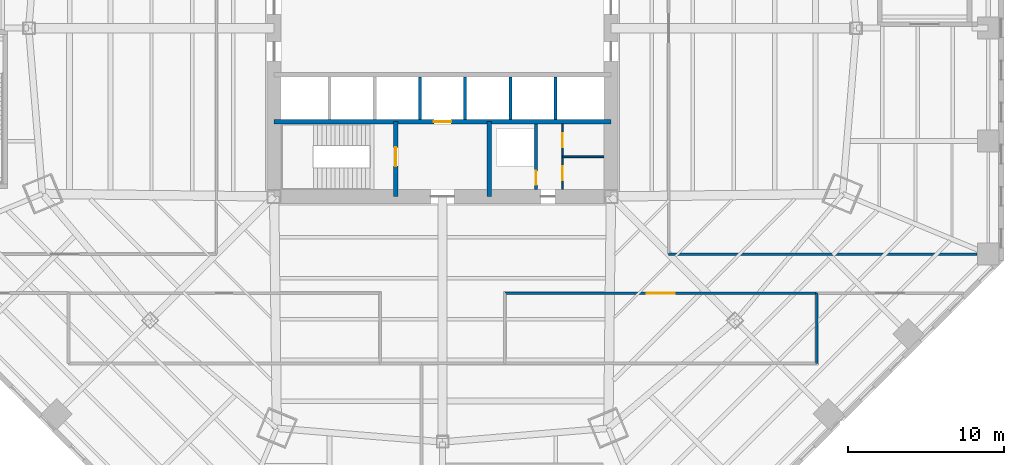
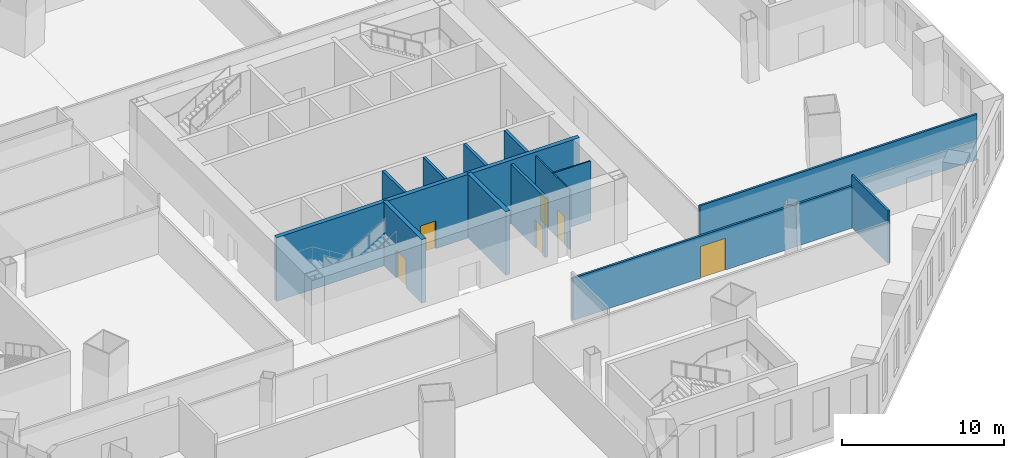
# One storey, part 10 of 19: 13 walls, 6 doors, 6 openings.
"""IFC4 building model written with IfcOpenShell, lengths in metres."""

from ifc_helpers import new_model, si_unit, direction, frame, frame_2d, origin, place, context, subcontext, project, spatial, rectangle, extrude, material, layer, layer_set, type_object, element, fill, save


model = new_model("IFC4")

# Units and contexts
model_context = context("Model", 3, precision=1e-05, world=origin(), true_north=direction((0.0, 1.0)))
body_context = subcontext(model_context, "Body", "Model", "MODEL_VIEW")
ifc_project = project(units=[si_unit("LENGTHUNIT", "METRE"), si_unit("AREAUNIT", "SQUARE_METRE"), si_unit("VOLUMEUNIT", "CUBIC_METRE"), si_unit("PLANEANGLEUNIT", "RADIAN"), si_unit("MASSUNIT", "GRAM", prefix="KILO")], contexts=[model_context])

# Site, building, storey
site_placement = place(None, origin())
site = spatial("IfcSite", under=ifc_project, at=site_placement, CompositionType="ELEMENT")
building_placement = place(site_placement, origin())
building = spatial("IfcBuilding", under=site, at=building_placement, Name="Mashrafa Tower", CompositionType="ELEMENT")
storey_placement = place(building_placement, frame((0.0, 0.0, 24.0)))
storey = spatial("IfcBuildingStorey", under=building, at=storey_placement, Name="L04", CompositionType="ELEMENT", Elevation=24.0)

# Wall, opening, door
ifc_material_1 = material(Name="Concrete masonry unit", Category="masonry")
ifc_layer_1 = layer(ifc_material_1, 0.199951171875)
ifc_layer_set_1 = layer_set([ifc_layer_1], Name="Blockwork wall 200 2 hr")
wall_type_1 = type_object("IfcWallType", Name="Blockwork wall 200 2 hr", PredefinedType="PARTITIONING", material=ifc_layer_set_1)
wall_1_placement = place(storey_placement, frame((6.0, -10.35009765625, 0.0), z_axis=(0.0, 0.0, 1.0), x_axis=(0.0, 1.0, 0.0)))
wall_1 = element("IfcWall", 1, at=wall_1_placement, inside=storey, type_object=wall_type_1, Name="Riser enclosure wall L04", PredefinedType="PARTITIONING", context=body_context, shape_type="SweptSolid", body=[
    extrude(rectangle(XDim=4.2001953125, YDim=0.199951171875, at=frame_2d((2.10009765625, 0.0))), origin(), (0.0, 0.0, 1.0), 4.5),
])
opening_1_placement = place(wall_1_placement, frame((0.300048828125, 0.0, 0.0)))
opening_1 = element("IfcOpeningElement", 2, at=opening_1_placement, cuts=wall_1, Name="Opening 04.023", PredefinedType="OPENING", context=body_context, shape_type="SweptSolid", body=[
    extrude(rectangle(XDim=0.89990234375, YDim=2.10009765625, at=frame_2d((0.449951171875, 1.050048828125))), frame((0.0, 0.10986328125, 0.0), z_axis=(0.0, -1.0, 0.0), x_axis=(1.0, 0.0, 0.0)), (0.0, 0.0, 1.0), 0.219970703125),
])
ifc_material_2 = material(Name="Steel door", Category="steel")
door_type_1 = type_object("IfcDoorType", Name="Service door 900 x 2100 90 min", OperationType="USERDEFINED", PredefinedType="DOOR", material=ifc_material_2)
door_1_placement = place(opening_1_placement, origin())
door_1 = element("IfcDoor", 3, at=door_1_placement, inside=storey, type_object=door_type_1, Name="Riser door L04", OperationType="SINGLE_SWING_LEFT", OverallHeight=2.10009765625, OverallWidth=0.89990234375, PredefinedType="DOOR", context=body_context, shape_type="SweptSolid", body=[
    extrude(rectangle(XDim=0.89990234375, YDim=2.10009765625, at=frame_2d((0.449951171875, 1.050048828125))), frame((0.0, 0.02490234375, 0.0), z_axis=(0.0, -1.0, 0.0), x_axis=(1.0, 0.0, 0.0)), (0.0, 0.0, 1.0), 0.050048828125),
])
fill(opening_1, door_1)

ifc_material_3 = material(Name="Concrete C60/75", Category="concrete")
ifc_layer_2 = layer(ifc_material_3, 0.300048828125)
ifc_layer_set_2 = layer_set([ifc_layer_2], Name="Core wall 300 C60/75")
wall_type_2 = type_object("IfcWallType", Name="Core wall 300 C60/75", PredefinedType="SOLIDWALL", material=ifc_layer_set_2)
wall_2_placement = place(storey_placement, frame((-10.800048828125, -6.0, 0.0), z_axis=(0.0, 0.0, 1.0), x_axis=(1.0, 0.0, 0.0)))
wall_2 = element("IfcWall", 4, at=wall_2_placement, inside=storey, type_object=wall_type_2, Name="Core wall CB-S L04", PredefinedType="SOLIDWALL", context=body_context, shape_type="SweptSolid", body=[
    extrude(rectangle(XDim=21.60009765625, YDim=0.300048828125, at=frame_2d((10.800048828125, 0.0))), origin(), (0.0, 0.0, 1.0), 4.800048828125),
])
opening_2_placement = place(wall_2_placement, frame((10.25, 0.0, 0.0)))
opening_2 = element("IfcOpeningElement", 5, at=opening_2_placement, cuts=wall_2, Name="Opening 04.F2", PredefinedType="OPENING", context=body_context, shape_type="SweptSolid", body=[
    extrude(rectangle(XDim=1.10009765625, YDim=2.10009765625, at=frame_2d((0.550048828125, 1.050048828125))), frame((0.0, 0.159912109375, 0.0), z_axis=(0.0, -1.0, 0.0), x_axis=(1.0, 0.0, 0.0)), (0.0, 0.0, 1.0), 0.320068359375),
])
ifc_material_4 = material(Name="Steel door", Category="steel")
door_type_2 = type_object("IfcDoorType", Name="Lift landing door 1100 x 2100 90 min", OperationType="DOUBLE_DOOR_SLIDING", PredefinedType="DOOR", material=ifc_material_4)
door_2_placement = place(opening_2_placement, origin())
door_2 = element("IfcDoor", 6, at=door_2_placement, inside=storey, type_object=door_type_2, Name="Lift landing door F2 L04", OperationType="DOUBLE_DOOR_SLIDING", OverallHeight=2.10009765625, OverallWidth=1.10009765625, PredefinedType="DOOR", context=body_context, shape_type="SweptSolid", body=[
    extrude(rectangle(XDim=1.10009765625, YDim=2.10009765625, at=frame_2d((0.550048828125, 1.050048828125))), frame((0.0, 0.02490234375, 0.0), z_axis=(0.0, -1.0, 0.0), x_axis=(1.0, 0.0, 0.0)), (0.0, 0.0, 1.0), 0.050048828125),
])
fill(opening_2, door_2)

wall_3_placement = place(storey_placement, frame((-3.0, -6.0, 0.0), z_axis=(0.0, 0.0, 1.0), x_axis=(0.0, -1.0, 0.0)))
wall_3 = element("IfcWall", 7, at=wall_3_placement, inside=storey, type_object=wall_type_2, Name="Core wall CX-SW L04", PredefinedType="SOLIDWALL", context=body_context, shape_type="SweptSolid", body=[
    extrude(rectangle(XDim=4.800048828125, YDim=0.300048828125, at=frame_2d((2.39990234375, 0.0))), origin(), (0.0, 0.0, 1.0), 4.800048828125),
])
opening_3_placement = place(wall_3_placement, frame((1.64990234375, 0.0, 0.0)))
opening_3 = element("IfcOpeningElement", 8, at=opening_3_placement, cuts=wall_3, Name="Opening 04.021", PredefinedType="OPENING", context=body_context, shape_type="SweptSolid", body=[
    extrude(rectangle(XDim=1.199951171875, YDim=2.10009765625, at=frame_2d((0.60009765625, 1.050048828125))), frame((0.0, 0.159912109375, 0.0), z_axis=(0.0, -1.0, 0.0), x_axis=(1.0, 0.0, 0.0)), (0.0, 0.0, 1.0), 0.320068359375),
])
ifc_material_5 = material(Name="Steel door", Category="steel")
door_type_3 = type_object("IfcDoorType", Name="Stair door 1200 x 2100 90 min", OperationType="USERDEFINED", PredefinedType="DOOR", material=ifc_material_5)
door_3_placement = place(opening_3_placement, frame((1.199951171875, 0.0, 0.0), z_axis=(0.0, 0.0, 1.0), x_axis=(-1.0, 0.0, 0.0)))
door_3 = element("IfcDoor", 9, at=door_3_placement, inside=storey, type_object=door_type_3, Name="Stair S3 door L04", OperationType="SINGLE_SWING_RIGHT", OverallHeight=2.10009765625, OverallWidth=1.199951171875, PredefinedType="DOOR", context=body_context, shape_type="SweptSolid", body=[
    extrude(rectangle(XDim=1.199951171875, YDim=2.10009765625, at=frame_2d((0.60009765625, 1.050048828125))), frame((0.0, 0.02490234375, 0.0), z_axis=(0.0, -1.0, 0.0), x_axis=(1.0, 0.0, 0.0)), (0.0, 0.0, 1.0), 0.050048828125),
])
fill(opening_3, door_3)

# Walls
wall_4_placement = place(storey_placement, frame((3.0, -6.0, 0.0), z_axis=(0.0, 0.0, 1.0), x_axis=(0.0, -1.0, 0.0)))
element("IfcWall", 10, at=wall_4_placement, inside=storey, type_object=wall_type_2, Name="Core wall CX-SE L04", PredefinedType="SOLIDWALL", context=body_context, shape_type="SweptSolid", body=[
    extrude(rectangle(XDim=4.800048828125, YDim=0.300048828125, at=frame_2d((2.39990234375, 0.0))), origin(), (0.0, 0.0, 1.0), 4.800048828125),
])
ifc_material_6 = material(Name="Gypsum board on steel studs", Category="steel")
ifc_layer_3 = layer(ifc_material_6, 0.14990234375)
ifc_layer_set_3 = layer_set([ifc_layer_3], Name="Corridor partition 150 1 hr")
wall_type_3 = type_object("IfcWallType", Name="Corridor partition 150 1 hr", PredefinedType="PARTITIONING", material=ifc_layer_set_3)
wall_5_placement = place(storey_placement, frame((14.5, -14.5, 0.0), z_axis=(0.0, 0.0, 1.0), x_axis=(1.0, 0.0, 0.0)))
element("IfcWall", 11, at=wall_5_placement, inside=storey, type_object=wall_type_3, Name="Corridor wall L04-026", PredefinedType="PARTITIONING", context=body_context, shape_type="SweptSolid", body=[
    extrude(rectangle(XDim=19.781005859375, YDim=0.14990234375, at=frame_2d((9.890625, 0.0))), origin(), (0.0, 0.0, 1.0), 3.448486328125),
])

# Wall, opening, door
wall_6_placement = place(storey_placement, frame((24.0, -17.0, 0.0), z_axis=(0.0, 0.0, 1.0), x_axis=(-1.0, 0.0, 0.0)))
wall_6 = element("IfcWall", 12, at=wall_6_placement, inside=storey, type_object=wall_type_3, Name="Corridor wall L04-029", PredefinedType="PARTITIONING", context=body_context, shape_type="SweptSolid", body=[
    extrude(rectangle(XDim=20.0, YDim=0.14990234375, at=frame_2d((10.0, 0.0))), origin(), (0.0, 0.0, 1.0), 3.18994140625),
])
opening_4_placement = place(wall_6_placement, frame((9.10009765625, 0.0, 0.0)))
opening_4 = element("IfcOpeningElement", 13, at=opening_4_placement, cuts=wall_6, Name="Opening 04.012", PredefinedType="OPENING", context=body_context, shape_type="SweptSolid", body=[
    extrude(rectangle(XDim=1.800048828125, YDim=2.39990234375, at=frame_2d((0.89990234375, 1.199951171875))), frame((0.0, 0.0849609375, 0.0), z_axis=(0.0, -1.0, 0.0), x_axis=(1.0, 0.0, 0.0)), (0.0, 0.0, 1.0), 0.169921875),
])
ifc_material_7 = material(Name="Timber door", Category="wood")
door_type_4 = type_object("IfcDoorType", Name="Door pair 1800 x 2400", OperationType="DOUBLE_DOOR_SINGLE_SWING", PredefinedType="DOOR", material=ifc_material_7)
door_4_placement = place(opening_4_placement, frame((1.800048828125, 0.0, 0.0), z_axis=(0.0, 0.0, 1.0), x_axis=(-1.0, 0.0, 0.0)))
door_4 = element("IfcDoor", 14, at=door_4_placement, inside=storey, type_object=door_type_4, Name="Civic Training Room L04 door", OperationType="DOUBLE_DOOR_SINGLE_SWING", OverallHeight=2.39990234375, OverallWidth=1.800048828125, PredefinedType="DOOR", context=body_context, shape_type="SweptSolid", body=[
    extrude(rectangle(XDim=1.800048828125, YDim=2.39990234375, at=frame_2d((0.89990234375, 1.199951171875))), frame((0.0, 0.02490234375, 0.0), z_axis=(0.0, -1.0, 0.0), x_axis=(1.0, 0.0, 0.0)), (0.0, 0.0, 1.0), 0.050048828125),
])
fill(opening_4, door_4)

# Wall, openings, doors
ifc_material_8 = material(Name="Gypsum board on steel studs", Category="steel")
ifc_layer_4 = layer(ifc_material_8, 0.10009765625)
ifc_layer_set_4 = layer_set([ifc_layer_4], Name="Partition 100 1 hr")
wall_type_4 = type_object("IfcWallType", Name="Partition 100 1 hr", PredefinedType="PARTITIONING", material=ifc_layer_set_4)
wall_7_placement = place(storey_placement, frame((7.699951171875, -10.35009765625, 0.0), z_axis=(0.0, 0.0, 1.0), x_axis=(0.0, 1.0, 0.0)))
wall_7 = element("IfcWall", 15, at=wall_7_placement, inside=storey, type_object=wall_type_4, Name="Services lobby partition A L04", PredefinedType="PARTITIONING", context=body_context, shape_type="SweptSolid", body=[
    extrude(rectangle(XDim=4.2001953125, YDim=0.10009765625, at=frame_2d((2.10009765625, 0.0))), origin(), (0.0, 0.0, 1.0), 4.5),
])
opening_5_placement = place(wall_7_placement, frame((2.699951171875, 0.0, 0.0)))
opening_5 = element("IfcOpeningElement", 16, at=opening_5_placement, cuts=wall_7, Name="Opening 04.024", PredefinedType="OPENING", context=body_context, shape_type="SweptSolid", body=[
    extrude(rectangle(XDim=0.89990234375, YDim=2.10009765625, at=frame_2d((0.449951171875, 1.050048828125))), frame((0.0, 0.06005859375, 0.0), z_axis=(0.0, -1.0, 0.0), x_axis=(1.0, 0.0, 0.0)), (0.0, 0.0, 1.0), 0.1201171875),
])
opening_6_placement = place(wall_7_placement, frame((0.60009765625, 0.0, 0.0)))
opening_6 = element("IfcOpeningElement", 17, at=opening_6_placement, cuts=wall_7, Name="Opening 04.025", PredefinedType="OPENING", context=body_context, shape_type="SweptSolid", body=[
    extrude(rectangle(XDim=0.89990234375, YDim=2.10009765625, at=frame_2d((0.449951171875, 1.050048828125))), frame((0.0, 0.06005859375, 0.0), z_axis=(0.0, -1.0, 0.0), x_axis=(1.0, 0.0, 0.0)), (0.0, 0.0, 1.0), 0.1201171875),
])
ifc_material_9 = material(Name="Timber door", Category="wood")
door_type_5 = type_object("IfcDoorType", Name="Store door 900 x 2100", OperationType="USERDEFINED", PredefinedType="DOOR", material=ifc_material_9)
door_5_placement = place(opening_5_placement, frame((0.89990234375, 0.0, 0.0), z_axis=(0.0, 0.0, 1.0), x_axis=(-1.0, 0.0, 0.0)))
door_5 = element("IfcDoor", 18, at=door_5_placement, inside=storey, type_object=door_type_5, Name="Civic Events Equipment Store L04 door", OperationType="SINGLE_SWING_RIGHT", OverallHeight=2.10009765625, OverallWidth=0.89990234375, PredefinedType="DOOR", context=body_context, shape_type="SweptSolid", body=[
    extrude(rectangle(XDim=0.89990234375, YDim=2.10009765625, at=frame_2d((0.449951171875, 1.050048828125))), frame((0.0, 0.02490234375, 0.0), z_axis=(0.0, -1.0, 0.0), x_axis=(1.0, 0.0, 0.0)), (0.0, 0.0, 1.0), 0.050048828125),
])
fill(opening_5, door_5)
door_6_placement = place(opening_6_placement, frame((0.89990234375, 0.0, 0.0), z_axis=(0.0, 0.0, 1.0), x_axis=(-1.0, 0.0, 0.0)))
door_6 = element("IfcDoor", 19, at=door_6_placement, inside=storey, type_object=door_type_5, Name="Building Services Store L04 door", OperationType="SINGLE_SWING_LEFT", OverallHeight=2.10009765625, OverallWidth=0.89990234375, PredefinedType="DOOR", context=body_context, shape_type="SweptSolid", body=[
    extrude(rectangle(XDim=0.89990234375, YDim=2.10009765625, at=frame_2d((0.449951171875, 1.050048828125))), frame((0.0, 0.02490234375, 0.0), z_axis=(0.0, -1.0, 0.0), x_axis=(1.0, 0.0, 0.0)), (0.0, 0.0, 1.0), 0.050048828125),
])
fill(opening_6, door_6)

# Walls
wall_8_placement = place(storey_placement, frame((7.699951171875, -8.25, 0.0), z_axis=(0.0, 0.0, 1.0), x_axis=(1.0, 0.0, 0.0)))
element("IfcWall", 20, at=wall_8_placement, inside=storey, type_object=wall_type_4, Name="Services lobby partition B L04", PredefinedType="PARTITIONING", context=body_context, shape_type="SweptSolid", body=[
    extrude(rectangle(XDim=2.650146484375, YDim=0.10009765625, at=frame_2d((1.3251953125, 0.0))), origin(), (0.0, 0.0, 1.0), 4.5),
])
ifc_material_10 = material(Name="Gypsum board on steel studs", Category="steel")
ifc_layer_5 = layer(ifc_material_10, 0.14990234375)
ifc_layer_set_5 = layer_set([ifc_layer_5], Name="Partition 150")
wall_type_5 = type_object("IfcWallType", Name="Partition 150", PredefinedType="PARTITIONING", material=ifc_layer_set_5)
wall_9_placement = place(storey_placement, frame((24.0, -17.0, 0.0), z_axis=(0.0, 0.0, 1.0), x_axis=(0.0, -1.0, 0.0)))
element("IfcWall", 21, at=wall_9_placement, inside=storey, type_object=wall_type_5, Name="Partition wall L04-015", PredefinedType="PARTITIONING", context=body_context, shape_type="SweptSolid", body=[
    extrude(rectangle(XDim=4.5, YDim=0.14990234375, at=frame_2d((2.25, 0.0))), origin(), (0.0, 0.0, 1.0), 3.961669921875),
])
ifc_material_11 = material(Name="Gypsum shaft wall on steel studs", Category="steel")
ifc_layer_6 = layer(ifc_material_11, 0.199951171875)
ifc_layer_set_6 = layer_set([ifc_layer_6], Name="Shaft divider wall 200 2 hr")
wall_type_6 = type_object("IfcWallType", Name="Shaft divider wall 200 2 hr", PredefinedType="PARTITIONING", material=ifc_layer_set_6)
for number, where, z_axis, x_axis, name in (
    (22, (-1.449951171875, -5.85009765625, 0.0), (0.0, 0.0, 1.0), (0.0, 1.0, 0.0), "Shaft divider wall S3 L04"),
    (23, (1.449951171875, -5.85009765625, 0.0), (0.0, 0.0, 1.0), (0.0, 1.0, 0.0), "Shaft divider wall S4 L04"),
    (24, (4.35009765625, -5.85009765625, 0.0), (0.0, 0.0, 1.0), (0.0, 1.0, 0.0), "Shaft divider wall S5 L04"),
    (25, (7.25, -5.85009765625, 0.0), (0.0, 0.0, 1.0), (0.0, 1.0, 0.0), "Shaft divider wall S6 L04"),
):
    element("IfcWall", number, at=place(storey_placement, frame(where, z_axis=z_axis, x_axis=x_axis)), inside=storey, type_object=wall_type_6, Name=name, PredefinedType="PARTITIONING", context=body_context, shape_type="SweptSolid", body=[
        extrude(rectangle(XDim=2.7001953125, YDim=0.199951171875, at=frame_2d((1.35009765625, 0.0))), origin(), (0.0, 0.0, 1.0), 4.800048828125),
    ])

save(model, "model.ifc")
